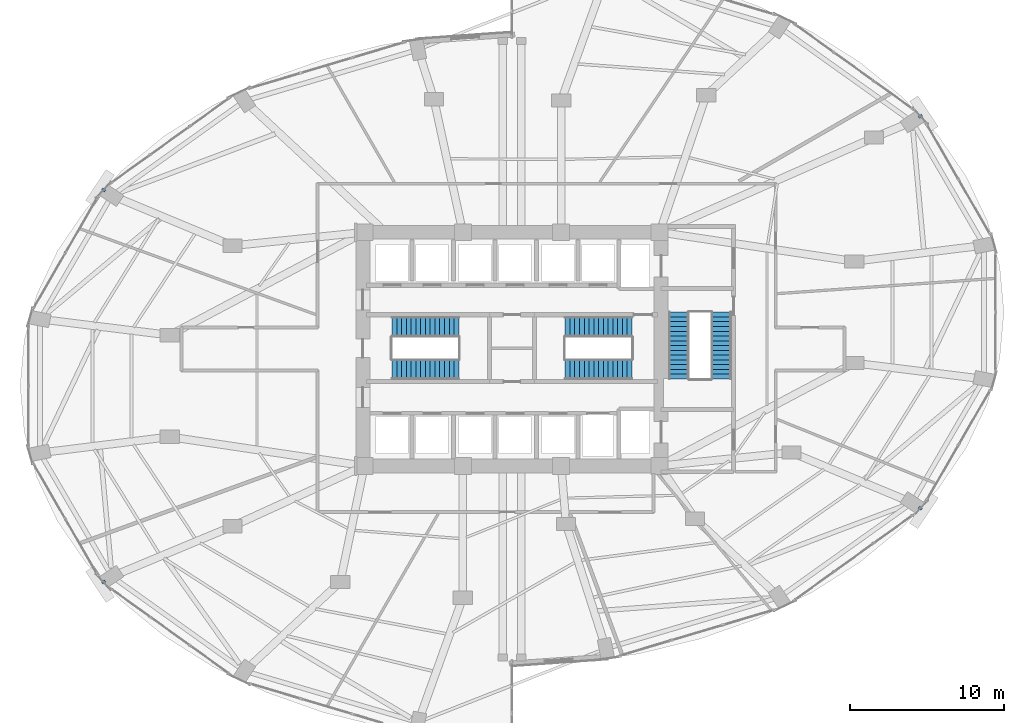
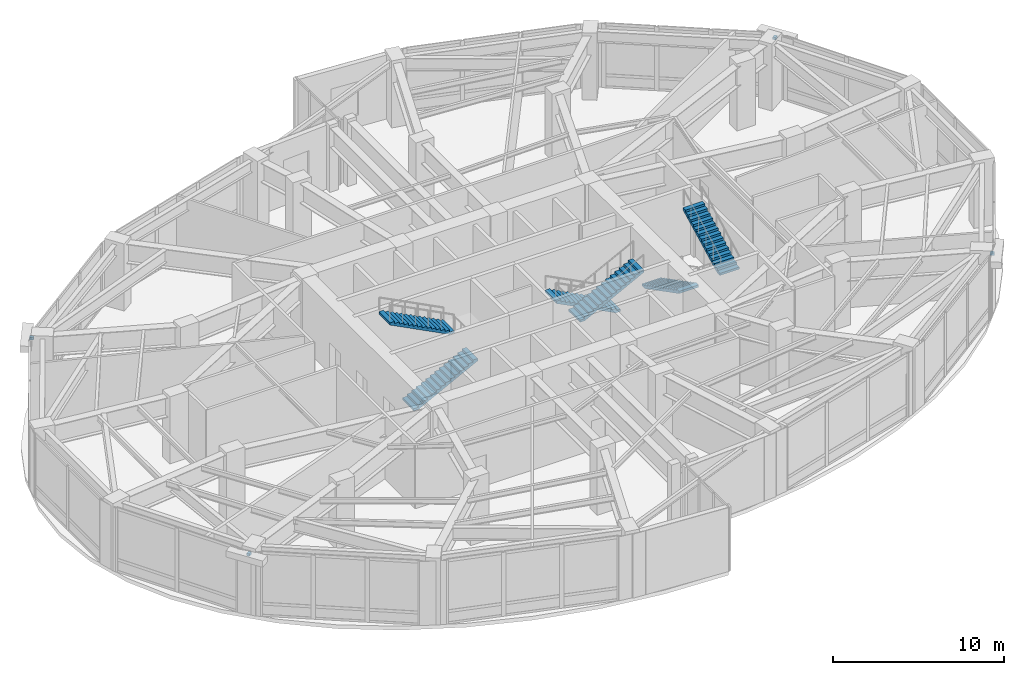
# One storey, part 23 of 24: 6 stair flights, 4 discrete accessories, 3 elements without a shape of their own.
"""IFC4 building model written with IfcOpenShell, lengths in metres."""

from ifc_helpers import new_model, si_unit, direction, frame, origin, origin_2d, place, context, subcontext, project, spatial, polyline, rectangle, outline, extrude, material, type_object, element, aggregate, save


model = new_model("IFC4")

# Units and contexts
model_context = context("Model", 3, precision=1e-05, world=origin(), true_north=direction((0.0, 1.0)))
body_context = subcontext(model_context, "Body", "Model", "MODEL_VIEW")
ifc_project = project(units=[si_unit("LENGTHUNIT", "METRE"), si_unit("AREAUNIT", "SQUARE_METRE"), si_unit("VOLUMEUNIT", "CUBIC_METRE"), si_unit("PLANEANGLEUNIT", "RADIAN"), si_unit("MASSUNIT", "GRAM", prefix="KILO")], contexts=[model_context])

# Site, building, storey
site_placement = place(None, origin())
site = spatial("IfcSite", under=ifc_project, at=site_placement, CompositionType="ELEMENT")
building_placement = place(site_placement, origin())
building = spatial("IfcBuilding", under=site, at=building_placement, Name="Lazwardi Medical Tower", CompositionType="ELEMENT")
storey_placement = place(building_placement, frame((0.0, 0.0, 20.39990234375)))
storey = spatial("IfcBuildingStorey", under=building, at=storey_placement, Name="L04", CompositionType="ELEMENT", Elevation=20.39990234375)

# Stair, stair flights
ifc_material_1 = material(Name="Concrete C45/55", Category="concrete")
stair_type = type_object("IfcStairType", Name="STR-POD", PredefinedType="HALF_TURN_STAIR", material=ifc_material_1)
stair_1_placement = place(storey_placement, origin())
stair_1 = element("IfcStair", 1, at=stair_1_placement, inside=storey, type_object=stair_type, Name="L04 Protected Exit Stair ST1", PredefinedType="HALF_TURN_STAIR")
stair_flight_type = type_object("IfcStairFlightType", Name="FLT-POD", PredefinedType="STRAIGHT", material=ifc_material_1)
stair_flight_1_placement = place(storey_placement, frame((28.199951171875, 26.679931640625, 0.0), z_axis=(0.0, 0.0, 1.0), x_axis=(1.0, 0.0, 0.0)))
stair_flight_1 = element("IfcStairFlight", 2, at=stair_flight_1_placement, type_object=stair_flight_type, Name="ST1 flight 1", NumberOfRisers=15, NumberOfTreads=14, PredefinedType="STRAIGHT", RiserHeight=0.16, TreadLength=0.31, context=body_context, shape_type="SweptSolid", body=[
    extrude(outline(polyline([(0.0, 0.0), (0.0, 0.159912109375), (0.31005859375, 0.159912109375), (0.31005859375, 0.320068359375), (0.6201171875, 0.320068359375), (0.6201171875, 0.47998046875), (0.929931640625, 0.47998046875), (0.929931640625, 0.639892578125), (1.239990234375, 0.639892578125), (1.239990234375, 0.800048828125), (1.550048828125, 0.800048828125), (1.550048828125, 0.9599609375), (1.860107421875, 0.9599609375), (1.860107421875, 1.1201171875), (2.169921875, 1.1201171875), (2.169921875, 1.280029296875), (2.47998046875, 1.280029296875), (2.47998046875, 1.43994140625), (2.7900390625, 1.43994140625), (2.7900390625, 1.60009765625), (3.10009765625, 1.60009765625), (3.10009765625, 1.760009765625), (3.409912109375, 1.760009765625), (3.409912109375, 1.919921875), (3.719970703125, 1.919921875), (3.719970703125, 2.080078125), (4.030029296875, 2.080078125), (4.030029296875, 2.239990234375), (4.340087890625, 2.239990234375), (4.340087890625, 2.39990234375), (4.340087890625, 2.0712890625), (0.326904296875, 0.0), (0.0, 0.0)])), frame((0.0, 0.66015625, 0.0), z_axis=(0.0, -1.0, 0.0), x_axis=(1.0, 0.0, 0.0)), (0.0, 0.0, 1.0), 1.320068359375),
])
stair_flight_2_placement = place(storey_placement, frame((32.5400390625, 29.43994140625, 2.400146484375), z_axis=(0.0, 0.0, 1.0), x_axis=(-1.0, 0.0, 0.0)))
stair_flight_2 = element("IfcStairFlight", 3, at=stair_flight_2_placement, type_object=stair_flight_type, Name="ST1 flight 2", NumberOfRisers=15, NumberOfTreads=14, PredefinedType="STRAIGHT", RiserHeight=0.16, TreadLength=0.31, context=body_context, shape_type="SweptSolid", body=[
    extrude(outline(polyline([(0.0, 0.0), (0.0, 0.159912109375), (0.31005859375, 0.159912109375), (0.31005859375, 0.320068359375), (0.6201171875, 0.320068359375), (0.6201171875, 0.47998046875), (0.929931640625, 0.47998046875), (0.929931640625, 0.639892578125), (1.239990234375, 0.639892578125), (1.239990234375, 0.800048828125), (1.550048828125, 0.800048828125), (1.550048828125, 0.9599609375), (1.860107421875, 0.9599609375), (1.860107421875, 1.1201171875), (2.169921875, 1.1201171875), (2.169921875, 1.280029296875), (2.47998046875, 1.280029296875), (2.47998046875, 1.43994140625), (2.7900390625, 1.43994140625), (2.7900390625, 1.60009765625), (3.10009765625, 1.60009765625), (3.10009765625, 1.760009765625), (3.409912109375, 1.760009765625), (3.409912109375, 1.919921875), (3.719970703125, 1.919921875), (3.719970703125, 2.080078125), (4.030029296875, 2.080078125), (4.030029296875, 2.239990234375), (4.340087890625, 2.239990234375), (4.340087890625, 2.39990234375), (4.340087890625, 2.0712890625), (0.326904296875, 0.0), (0.0, 0.0)])), frame((0.0, 0.66015625, 0.0), z_axis=(0.0, -1.0, 0.0), x_axis=(1.0, 0.0, 0.0)), (0.0, 0.0, 1.0), 1.320068359375),
])
aggregate(stair_1, [stair_flight_1, stair_flight_2])

stair_2_placement = place(storey_placement, origin())
stair_2 = element("IfcStair", 4, at=stair_2_placement, inside=storey, type_object=stair_type, Name="L04 Protected Exit Stair ST2", PredefinedType="HALF_TURN_STAIR")
stair_flight_3_placement = place(storey_placement, frame((43.800048828125, 29.43994140625, 0.0), z_axis=(0.0, 0.0, 1.0), x_axis=(-1.0, 0.0, 0.0)))
stair_flight_3 = element("IfcStairFlight", 5, at=stair_flight_3_placement, type_object=stair_flight_type, Name="ST2 flight 1", NumberOfRisers=15, NumberOfTreads=14, PredefinedType="STRAIGHT", RiserHeight=0.16, TreadLength=0.31, context=body_context, shape_type="SweptSolid", body=[
    extrude(outline(polyline([(0.0, 0.0), (0.0, 0.159912109375), (0.31005859375, 0.159912109375), (0.31005859375, 0.320068359375), (0.6201171875, 0.320068359375), (0.6201171875, 0.47998046875), (0.929931640625, 0.47998046875), (0.929931640625, 0.639892578125), (1.239990234375, 0.639892578125), (1.239990234375, 0.800048828125), (1.550048828125, 0.800048828125), (1.550048828125, 0.9599609375), (1.860107421875, 0.9599609375), (1.860107421875, 1.1201171875), (2.169921875, 1.1201171875), (2.169921875, 1.280029296875), (2.47998046875, 1.280029296875), (2.47998046875, 1.43994140625), (2.7900390625, 1.43994140625), (2.7900390625, 1.60009765625), (3.10009765625, 1.60009765625), (3.10009765625, 1.760009765625), (3.409912109375, 1.760009765625), (3.409912109375, 1.919921875), (3.719970703125, 1.919921875), (3.719970703125, 2.080078125), (4.030029296875, 2.080078125), (4.030029296875, 2.239990234375), (4.340087890625, 2.239990234375), (4.340087890625, 2.39990234375), (4.340087890625, 2.0712890625), (0.326904296875, 0.0), (0.0, 0.0)])), frame((0.0, 0.66015625, 0.0), z_axis=(0.0, -1.0, 0.0), x_axis=(1.0, 0.0, 0.0)), (0.0, 0.0, 1.0), 1.320068359375),
])
stair_flight_4_placement = place(storey_placement, frame((39.4599609375, 26.679931640625, 2.400146484375), z_axis=(0.0, 0.0, 1.0), x_axis=(1.0, 0.0, 0.0)))
stair_flight_4 = element("IfcStairFlight", 6, at=stair_flight_4_placement, type_object=stair_flight_type, Name="ST2 flight 2", NumberOfRisers=15, NumberOfTreads=14, PredefinedType="STRAIGHT", RiserHeight=0.16, TreadLength=0.31, context=body_context, shape_type="SweptSolid", body=[
    extrude(outline(polyline([(0.0, 0.0), (0.0, 0.159912109375), (0.31005859375, 0.159912109375), (0.31005859375, 0.320068359375), (0.6201171875, 0.320068359375), (0.6201171875, 0.47998046875), (0.929931640625, 0.47998046875), (0.929931640625, 0.639892578125), (1.239990234375, 0.639892578125), (1.239990234375, 0.800048828125), (1.550048828125, 0.800048828125), (1.550048828125, 0.9599609375), (1.860107421875, 0.9599609375), (1.860107421875, 1.1201171875), (2.169921875, 1.1201171875), (2.169921875, 1.280029296875), (2.47998046875, 1.280029296875), (2.47998046875, 1.43994140625), (2.7900390625, 1.43994140625), (2.7900390625, 1.60009765625), (3.10009765625, 1.60009765625), (3.10009765625, 1.760009765625), (3.409912109375, 1.760009765625), (3.409912109375, 1.919921875), (3.719970703125, 1.919921875), (3.719970703125, 2.080078125), (4.030029296875, 2.080078125), (4.030029296875, 2.239990234375), (4.340087890625, 2.239990234375), (4.340087890625, 2.39990234375), (4.340087890625, 2.0712890625), (0.326904296875, 0.0), (0.0, 0.0)])), frame((0.0, 0.66015625, 0.0), z_axis=(0.0, -1.0, 0.0), x_axis=(1.0, 0.0, 0.0)), (0.0, 0.0, 1.0), 1.320068359375),
])
aggregate(stair_2, [stair_flight_3, stair_flight_4])

stair_3_placement = place(storey_placement, origin())
stair_3 = element("IfcStair", 7, at=stair_3_placement, inside=storey, type_object=stair_type, Name="L04 Protected Exit Stair ST3", PredefinedType="HALF_TURN_STAIR")
stair_flight_5_placement = place(storey_placement, frame((46.860107421875, 30.39990234375, 0.0), z_axis=(0.0, 0.0, 1.0), x_axis=(0.0, -1.0, 0.0)))
stair_flight_5 = element("IfcStairFlight", 8, at=stair_flight_5_placement, type_object=stair_flight_type, Name="ST3 flight 1", NumberOfRisers=15, NumberOfTreads=14, PredefinedType="STRAIGHT", RiserHeight=0.16, TreadLength=0.31, context=body_context, shape_type="SweptSolid", body=[
    extrude(outline(polyline([(0.0, 0.0), (0.0, 0.159912109375), (0.31005859375, 0.159912109375), (0.31005859375, 0.320068359375), (0.6201171875, 0.320068359375), (0.6201171875, 0.47998046875), (0.929931640625, 0.47998046875), (0.929931640625, 0.639892578125), (1.239990234375, 0.639892578125), (1.239990234375, 0.800048828125), (1.550048828125, 0.800048828125), (1.550048828125, 0.9599609375), (1.860107421875, 0.9599609375), (1.860107421875, 1.1201171875), (2.169921875, 1.1201171875), (2.169921875, 1.280029296875), (2.47998046875, 1.280029296875), (2.47998046875, 1.43994140625), (2.7900390625, 1.43994140625), (2.7900390625, 1.60009765625), (3.10009765625, 1.60009765625), (3.10009765625, 1.760009765625), (3.409912109375, 1.760009765625), (3.409912109375, 1.919921875), (3.719970703125, 1.919921875), (3.719970703125, 2.080078125), (4.030029296875, 2.080078125), (4.030029296875, 2.239990234375), (4.340087890625, 2.239990234375), (4.340087890625, 2.39990234375), (4.340087890625, 2.0712890625), (0.326904296875, 0.0), (0.0, 0.0)])), frame((0.0, 0.66015625, 0.0), z_axis=(0.0, -1.0, 0.0), x_axis=(1.0, 0.0, 0.0)), (0.0, 0.0, 1.0), 1.320068359375),
])
stair_flight_6_placement = place(storey_placement, frame((49.6201171875, 26.06005859375, 2.400146484375), z_axis=(0.0, 0.0, 1.0), x_axis=(0.0, 1.0, 0.0)))
stair_flight_6 = element("IfcStairFlight", 9, at=stair_flight_6_placement, type_object=stair_flight_type, Name="ST3 flight 2", NumberOfRisers=15, NumberOfTreads=14, PredefinedType="STRAIGHT", RiserHeight=0.16, TreadLength=0.31, context=body_context, shape_type="SweptSolid", body=[
    extrude(outline(polyline([(0.0, 0.0), (0.0, 0.159912109375), (0.31005859375, 0.159912109375), (0.31005859375, 0.320068359375), (0.6201171875, 0.320068359375), (0.6201171875, 0.47998046875), (0.929931640625, 0.47998046875), (0.929931640625, 0.639892578125), (1.239990234375, 0.639892578125), (1.239990234375, 0.800048828125), (1.550048828125, 0.800048828125), (1.550048828125, 0.9599609375), (1.860107421875, 0.9599609375), (1.860107421875, 1.1201171875), (2.169921875, 1.1201171875), (2.169921875, 1.280029296875), (2.47998046875, 1.280029296875), (2.47998046875, 1.43994140625), (2.7900390625, 1.43994140625), (2.7900390625, 1.60009765625), (3.10009765625, 1.60009765625), (3.10009765625, 1.760009765625), (3.409912109375, 1.760009765625), (3.409912109375, 1.919921875), (3.719970703125, 1.919921875), (3.719970703125, 2.080078125), (4.030029296875, 2.080078125), (4.030029296875, 2.239990234375), (4.340087890625, 2.239990234375), (4.340087890625, 2.39990234375), (4.340087890625, 2.0712890625), (0.326904296875, 0.0), (0.0, 0.0)])), frame((0.0, 0.66015625, 0.0), z_axis=(0.0, -1.0, 0.0), x_axis=(1.0, 0.0, 0.0)), (0.0, 0.0, 1.0), 1.320068359375),
])
aggregate(stair_3, [stair_flight_5, stair_flight_6])

# Discrete accessories
ifc_material_2 = material(Name="Steel S355", Category="steel")
discrete_accessory_type = type_object("IfcDiscreteAccessoryType", Name="ACC-BRK-01", PredefinedType="BRACKET", material=ifc_material_2)
for number, where, z_axis, x_axis, name in (
    (10, (62.55712890625, 17.6552734375, 4.240234375), (0.0, 0.0, 1.0), (0.55557023302, 0.831469612303, 0.0), "L04 Podium Sunshade Bracket 1"),
    (11, (62.55712890625, 43.144775390625, 4.240234375), (0.0, 0.0, 1.0), (-0.55557023302, 0.831469612303, 0.0), "L04 Podium Sunshade Bracket 2"),
    (12, (9.44287109375, 38.3447265625, 4.240234375), (0.0, 0.0, 1.0), (-0.55557023302, -0.831469612303, 0.0), "L04 Podium Sunshade Bracket 3"),
    (13, (9.44287109375, 12.855224609375, 4.240234375), (0.0, 0.0, 1.0), (0.55557023302, -0.831469612303, 0.0), "L04 Podium Sunshade Bracket 4"),
):
    element("IfcDiscreteAccessory", number, at=place(storey_placement, frame(where, z_axis=z_axis, x_axis=x_axis)), inside=storey, type_object=discrete_accessory_type, Name=name, PredefinedType="BRACKET", context=body_context, shape_type="SweptSolid", body=[
        extrude(rectangle(XDim=0.179931640625, YDim=0.25, at=origin_2d()), origin(), (0.0, 0.0, 1.0), 0.179931640625),
    ])

save(model, "model.ifc")
